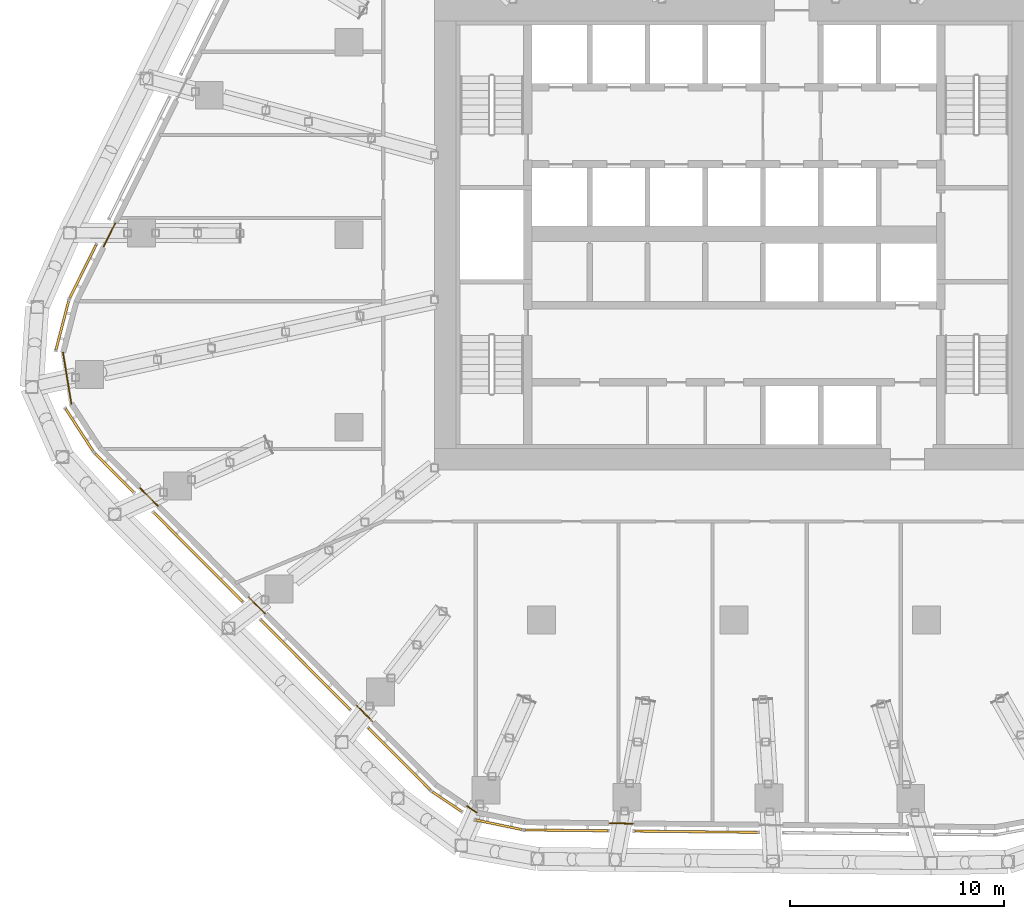
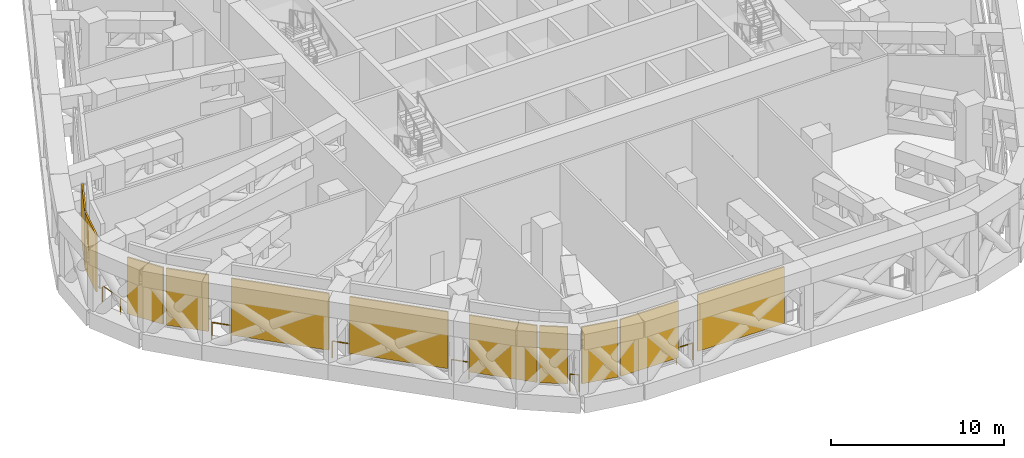
# One storey, part 25 of 30: 11 coverings, 7 railings, 5 elements without a shape of their own.
"""IFC4 building model written with IfcOpenShell, lengths in metres."""

import ifcopenshell
import ifcopenshell.guid

model = None  # the IFC model being written
_history = None  # IfcOwnerHistory: only IFC2X3 demands one
_inside = {}  # id of a spatial element -> (the spatial element, [elements in it])
_under = {}  # id of a project, library or spatial element -> (it, [spatial elements below it])
_declared = {}  # id of a project -> (the project, [libraries it declares])
_typed = {}  # id of a type object -> (the type object, [elements of that type])
_made_of = {}  # id of a material, layer set ... -> (it, [elements and type objects made of it])


def new_model(schema):
    """Start an empty IFC model of exactly this schema.

    Asked for "IFC4X3", IfcOpenShell would pick the latest addendum, in which some entities
    have other attributes; the version numbers below select the first issue.
    IFC2X3 requires an IfcOwnerHistory on every rooted entity: one is made here for all.
    """
    global model, _history
    if schema == "IFC4X3":
        model = ifcopenshell.file(schema_version=(4, 3, 0, 0))
    else:
        model = ifcopenshell.file(schema=schema)
    _inside.clear()
    _under.clear()
    _declared.clear()
    _typed.clear()
    _made_of.clear()
    _history = None
    if model.schema == "IFC2X3":
        org = make("IfcOrganization", Name="unknown")
        user = make(
            "IfcPersonAndOrganization",
            ThePerson=make("IfcPerson", FamilyName="unknown"),
            TheOrganization=org,
        )
        app = make(
            "IfcApplication",
            ApplicationDeveloper=org,
            Version="unknown",
            ApplicationFullName="unknown",
            ApplicationIdentifier="unknown",
        )
        _history = make(
            "IfcOwnerHistory",
            OwningUser=user,
            OwningApplication=app,
            ChangeAction="ADDED",
            CreationDate=0,
        )
    return model


def make(cls, **values):
    """One entity of the class cls with the attributes given. An attribute that is None is left unset."""
    return model.create_entity(
        cls, **{name: value for name, value in values.items() if value is not None}
    )


def rooted(cls, **values):
    """An entity with a GlobalId (a new one), such as an element, a storey or a relation."""
    return make(cls, GlobalId=ifcopenshell.guid.new(), OwnerHistory=_history, **values)


def si_unit(unit_type, name, prefix=None):
    """IfcSIUnit, for example si_unit("LENGTHUNIT", "METRE", prefix="MILLI")."""
    return make("IfcSIUnit", UnitType=unit_type, Prefix=prefix, Name=name)


def assignment(units):
    """IfcUnitAssignment: the units of a project."""
    return None if units is None else make("IfcUnitAssignment", Units=units)


def point(xyz):
    """IfcCartesianPoint."""
    return None if xyz is None else make("IfcCartesianPoint", Coordinates=xyz)


def direction(xyz):
    """IfcDirection."""
    return None if xyz is None else make("IfcDirection", DirectionRatios=xyz)


def frame(location, z_axis=None, x_axis=None):
    """IfcAxis2Placement3D, a coordinate frame: its origin and axes. An axis left out is left unset."""
    return make(
        "IfcAxis2Placement3D",
        Location=point(location),
        Axis=direction(z_axis),
        RefDirection=direction(x_axis),
    )


def frame_2d(location, x_axis=None):
    """IfcAxis2Placement2D, a coordinate frame in the plane: its origin and x axis."""
    return make(
        "IfcAxis2Placement2D", Location=point(location), RefDirection=direction(x_axis)
    )


def origin():
    """The frame at (0, 0, 0) with its axes left unset."""
    return frame((0.0, 0.0, 0.0))


def origin_2d():
    """The frame at (0, 0) in the plane with its x axis left unset."""
    return frame_2d((0.0, 0.0))


def place(relative_to, where):
    """IfcLocalPlacement: puts the frame where relative to a parent placement (None: the world)."""
    return make(
        "IfcLocalPlacement", PlacementRelTo=relative_to, RelativePlacement=where
    )


def context(
    kind, dimensions, precision=None, world=None, true_north=None, identifier=None
):
    """IfcGeometricRepresentationContext, for example the 3D "Model" context."""
    return make(
        "IfcGeometricRepresentationContext",
        ContextIdentifier=identifier,
        ContextType=kind,
        CoordinateSpaceDimension=dimensions,
        Precision=precision,
        WorldCoordinateSystem=world,
        TrueNorth=true_north,
    )


def subcontext(parent, identifier, kind, view, scale=None):
    """IfcGeometricRepresentationSubContext, for example "Body" below "Model"."""
    return make(
        "IfcGeometricRepresentationSubContext",
        ContextIdentifier=identifier,
        ContextType=kind,
        ParentContext=parent,
        TargetScale=scale,
        TargetView=view,
    )


def project(units=None, contexts=None):
    """IfcProject with its units and contexts."""
    return rooted(
        "IfcProject",
        Name="project",
        RepresentationContexts=contexts,
        UnitsInContext=assignment(units),
    )


def spatial(cls, under=None, at=None, **own):
    """A site, building, storey or space (cls), placed at a placement, below another one or the project."""
    s = rooted(cls, ObjectPlacement=at, **own)
    if under is not None:
        _under.setdefault(under.id(), (under, []))[1].append(s)
    return s


def profile(cls, at=None, kind="AREA", **sizes):
    """A parametric profile (cls). Its sizes go by their IFC names, for example OverallWidth=200.0."""
    return make(cls, ProfileType=kind, Position=at, **sizes)


def rectangle(**sizes):
    """IfcRectangleProfileDef."""
    return profile("IfcRectangleProfileDef", **sizes)


def circle(**sizes):
    """IfcCircleProfileDef."""
    return profile("IfcCircleProfileDef", **sizes)


def extrude(swept, where, along, depth):
    """IfcExtrudedAreaSolid: the profile swept, set in the frame where, extruded along a direction by depth."""
    return make(
        "IfcExtrudedAreaSolid",
        SweptArea=swept,
        Position=where,
        ExtrudedDirection=direction(along),
        Depth=depth,
    )


def shape(context_of_items, identifier, shape_type, items):
    """IfcShapeRepresentation: the items that make up one representation, for example the "Body"."""
    return make(
        "IfcShapeRepresentation",
        ContextOfItems=context_of_items,
        RepresentationIdentifier=identifier,
        RepresentationType=shape_type,
        Items=items,
    )


def material(Name=None, Category=None):
    """IfcMaterial."""
    return make("IfcMaterial", Name=Name, Category=Category)


def layer(
    of_material, thickness, ventilated=None, Name=None, Category=None, Priority=None
):
    """IfcMaterialLayer: one layer of a wall or slab, of a material (None: an air gap)."""
    return make(
        "IfcMaterialLayer",
        Material=of_material,
        LayerThickness=thickness,
        IsVentilated=ventilated,
        Name=Name,
        Category=Category,
        Priority=Priority,
    )


def layer_set(layers, Name=None):
    """IfcMaterialLayerSet."""
    return make("IfcMaterialLayerSet", MaterialLayers=layers, LayerSetName=Name)


def made_of(thing, what):
    """Note that an element or type object is made of a material, layer set ...; save() writes the relation."""
    if what is not None:
        _made_of.setdefault(what.id(), (what, []))[1].append(thing)
    return thing


def type_object(cls, material=None, **own):
    """A type object (cls), such as IfcWallType, which elements share."""
    return made_of(rooted(cls, **own), material)


def element(
    cls,
    number,
    at=None,
    inside=None,
    cuts=None,
    type_object=None,
    material=None,
    context=None,
    identifier="Body",
    shape_type=None,
    held_by="IfcProductDefinitionShape",
    body=None,
    shapes=None,
    **own,
):
    """One element of the class cls, such as IfcWall. Its Tag is "e" and its number.

    at: its placement. inside: the storey or other place that contains it. cuts: it is an
    opening in that element (IfcRelVoidsElement). A single representation is given by context,
    identifier, shape_type and body (its items); several are given by shapes. held_by: the class
    of the entity that holds the representations. save() writes the other relations.
    """
    e = rooted(cls, Tag="e%d" % number, ObjectPlacement=at, **own)
    if body is not None:
        shapes = [shape(context, identifier, shape_type, body)]
    if shapes is not None:
        e.Representation = make(held_by, Representations=shapes)
    if inside is not None:
        _inside.setdefault(inside.id(), (inside, []))[1].append(e)
    if cuts is not None:
        rooted(
            "IfcRelVoidsElement", RelatingBuildingElement=cuts, RelatedOpeningElement=e
        )
    if type_object is not None:
        _typed.setdefault(type_object.id(), (type_object, []))[1].append(e)
    return made_of(e, material)


def aggregate(whole, parts):
    """IfcRelAggregates: a whole, such as a stair, and the parts it consists of."""
    return rooted("IfcRelAggregates", RelatingObject=whole, RelatedObjects=parts)


def save(model, path):
    """Write the relations noted so far, then the file.

    IfcRelAggregates (storeys below a building ...), IfcRelContainedInSpatialStructure (elements
    in a storey), IfcRelDefinesByType, IfcRelAssociatesMaterial and IfcRelDeclares: one each for
    every whole, place, type object, material and project.
    """
    for whole, parts in _under.values():
        aggregate(whole, parts)
    for where, things in _inside.values():
        rooted(
            "IfcRelContainedInSpatialStructure",
            RelatedElements=things,
            RelatingStructure=where,
        )
    for kind, things in _typed.values():
        rooted("IfcRelDefinesByType", RelatedObjects=things, RelatingType=kind)
    for what, things in _made_of.values():
        rooted("IfcRelAssociatesMaterial", RelatedObjects=things, RelatingMaterial=what)
    for by, libraries in _declared.values():
        rooted("IfcRelDeclares", RelatingContext=by, RelatedDefinitions=libraries)
    model.write(path)


model = new_model("IFC4")

# Units and contexts
model_context = context("Model", 3, precision=1e-05, world=origin(), true_north=direction((0.0, 1.0)))
body_context = subcontext(model_context, "Body", "Model", "MODEL_VIEW")
ifc_project = project(units=[si_unit("LENGTHUNIT", "METRE"), si_unit("AREAUNIT", "SQUARE_METRE"), si_unit("VOLUMEUNIT", "CUBIC_METRE"), si_unit("PLANEANGLEUNIT", "RADIAN"), si_unit("MASSUNIT", "GRAM", prefix="KILO")], contexts=[model_context])

# Site, building, storey
site_placement = place(None, origin())
site = spatial("IfcSite", under=ifc_project, at=site_placement, CompositionType="ELEMENT")
building_placement = place(site_placement, origin())
building = spatial("IfcBuilding", under=site, at=building_placement, Name="Dongbaek Canopy Tower", CompositionType="ELEMENT")
storey_placement = place(building_placement, frame((0.0, 0.0, 145.60009765625)))
storey = spatial("IfcBuildingStorey", under=building, at=storey_placement, Name="L32", CompositionType="ELEMENT", Elevation=145.60009765625)

# Curtain wall, covering
ifc_material_1 = material(Name="Aluminium 6063-T6 pale anodised", Category="aluminium")
ifc_layer_1 = layer(ifc_material_1, 0.14990234375)
ifc_layer_set_1 = layer_set([ifc_layer_1], Name="CW-7 louvre curtain wall")
curtain_wall_type = type_object("IfcCurtainWallType", Name="CW-7 louvre curtain wall", PredefinedType="NOTDEFINED", material=ifc_layer_set_1)
curtain_wall_1_placement = place(storey_placement, origin())
curtain_wall_1 = element("IfcCurtainWall", 1, at=curtain_wall_1_placement, inside=storey, type_object=curtain_wall_type, Name="CW-7 louvre wall L32 F2", PredefinedType="NOTDEFINED")
ifc_material_2 = material(Name="Aluminium 6063-T6 pale metal louvre blades", Category="aluminium")
ifc_layer_2 = layer(ifc_material_2, 0.10009765625)
ifc_layer_set_2 = layer_set([ifc_layer_2], Name="Louvre LV bank 100 x 4000")
covering_type = type_object("IfcCoveringType", Name="Louvre LV bank 100 x 4000", PredefinedType="CLADDING", material=ifc_layer_set_2)
covering_1_placement = place(storey_placement, frame((-30.43310546875, -1.712890625, 0.77490234375), z_axis=(0.0, 0.0, 1.0), x_axis=(-0.444929333502, -0.895565680556, 0.0)))
covering_1 = element("IfcCovering", 2, at=covering_1_placement, type_object=covering_type, Name="Louvre L32 F2.5.1", PredefinedType="CLADDING", context=body_context, shape_type="SweptSolid", body=[
    extrude(rectangle(XDim=2.75927734375, YDim=0.10009765625, at=origin_2d()), origin(), (0.0, 0.0, 1.0), 4.0),
])
aggregate(curtain_wall_1, [covering_1])

# Curtain wall, coverings
curtain_wall_2_placement = place(storey_placement, origin())
curtain_wall_2 = element("IfcCurtainWall", 3, at=curtain_wall_2_placement, inside=storey, type_object=curtain_wall_type, Name="CW-7 louvre wall L32 K3", PredefinedType="NOTDEFINED")
covering_2_placement = place(storey_placement, frame((-31.3984375, -4.237548828125, 0.77490234375), z_axis=(0.0, 0.0, 1.0), x_axis=(-0.250958405827, -0.967997871147, 0.0)))
covering_2 = element("IfcCovering", 4, at=covering_2_placement, type_object=covering_type, Name="Louvre L32 K3.1.1", PredefinedType="CLADDING", context=body_context, shape_type="SweptSolid", body=[
    extrude(rectangle(XDim=2.349853515625, YDim=0.10009765625, at=origin_2d()), origin(), (0.0, 0.0, 1.0), 4.0),
])
covering_3_placement = place(storey_placement, frame((-30.60498046875, -9.11767578125, 0.77490234375), z_axis=(0.0, 0.0, 1.0), x_axis=(0.544699132785, -0.838631536936, 0.0)))
covering_3 = element("IfcCovering", 5, at=covering_3_placement, type_object=covering_type, Name="Louvre L32 K3.2.1", PredefinedType="CLADDING", context=body_context, shape_type="SweptSolid", body=[
    extrude(rectangle(XDim=2.349853515625, YDim=0.10009765625, at=origin_2d()), origin(), (0.0, 0.0, 1.0), 4.0),
])
aggregate(curtain_wall_2, [covering_2, covering_3])

curtain_wall_3_placement = place(storey_placement, origin())
curtain_wall_3 = element("IfcCurtainWall", 6, at=curtain_wall_3_placement, inside=storey, type_object=curtain_wall_type, Name="CW-7 louvre wall L32 F3", PredefinedType="NOTDEFINED")
covering_4_placement = place(storey_placement, frame((-28.96728515625, -11.12841796875, 0.77490234375), z_axis=(0.0, 0.0, 1.0), x_axis=(0.705731739235, -0.708479154412, 0.0)))
covering_4 = element("IfcCovering", 7, at=covering_4_placement, type_object=covering_type, Name="Louvre L32 F3.1.1", PredefinedType="CLADDING", context=body_context, shape_type="SweptSolid", body=[
    extrude(rectangle(XDim=2.539306640625, YDim=0.10009765625, at=origin_2d()), origin(), (0.0, 0.0, 1.0), 4.0),
])
covering_5_placement = place(storey_placement, frame((-25.05322265625, -15.057861328125, 0.77490234375), z_axis=(0.0, 0.0, 1.0), x_axis=(0.705731739235, -0.708479154412, 0.0)))
covering_5 = element("IfcCovering", 8, at=covering_5_placement, type_object=covering_type, Name="Louvre L32 F3.2.1", PredefinedType="CLADDING", context=body_context, shape_type="SweptSolid", body=[
    extrude(rectangle(XDim=5.853515625, YDim=0.10009765625, at=origin_2d()), origin(), (0.0, 0.0, 1.0), 4.0),
])
covering_6_placement = place(storey_placement, frame((-20.034423828125, -20.09619140625, 0.77490234375), z_axis=(0.0, 0.0, 1.0), x_axis=(0.705731739235, -0.708479154412, 0.0)))
covering_6 = element("IfcCovering", 9, at=covering_6_placement, type_object=covering_type, Name="Louvre L32 F3.3.1", PredefinedType="CLADDING", context=body_context, shape_type="SweptSolid", body=[
    extrude(rectangle(XDim=5.884765625, YDim=0.10009765625, at=origin_2d()), origin(), (0.0, 0.0, 1.0), 4.0),
])
covering_7_placement = place(storey_placement, frame((-15.6455078125, -24.501953125, 0.77490234375), z_axis=(0.0, 0.0, 1.0), x_axis=(0.705731739235, -0.708479154412, 0.0)))
covering_7 = element("IfcCovering", 10, at=covering_7_placement, type_object=covering_type, Name="Louvre L32 F3.4.1", PredefinedType="CLADDING", context=body_context, shape_type="SweptSolid", body=[
    extrude(rectangle(XDim=4.06298828125, YDim=0.10009765625, at=origin_2d()), origin(), (0.0, 0.0, 1.0), 4.0),
])
aggregate(curtain_wall_3, [covering_4, covering_5, covering_6, covering_7])

curtain_wall_4_placement = place(storey_placement, origin())
curtain_wall_4 = element("IfcCurtainWall", 11, at=curtain_wall_4_placement, inside=storey, type_object=curtain_wall_type, Name="CW-7 louvre wall L32 K4", PredefinedType="NOTDEFINED")
covering_8_placement = place(storey_placement, frame((-13.41796875, -26.494873046875, 0.77490234375), z_axis=(0.0, 0.0, 1.0), x_axis=(0.82920864921, -0.558939188172, 0.0)))
covering_8 = element("IfcCovering", 12, at=covering_8_placement, type_object=covering_type, Name="Louvre L32 K4.1.1", PredefinedType="CLADDING", context=body_context, shape_type="SweptSolid", body=[
    extrude(rectangle(XDim=1.6220703125, YDim=0.10009765625, at=origin_2d()), origin(), (0.0, 0.0, 1.0), 4.0),
])
covering_9_placement = place(storey_placement, frame((-10.987548828125, -27.579345703125, 0.77490234375), z_axis=(0.0, 0.0, 1.0), x_axis=(0.97913500533, -0.203210829776, 0.0)))
covering_9 = element("IfcCovering", 13, at=covering_9_placement, type_object=covering_type, Name="Louvre L32 K4.2.1", PredefinedType="CLADDING", context=body_context, shape_type="SweptSolid", body=[
    extrude(rectangle(XDim=2.19677734375, YDim=0.10009765625, at=origin_2d()), origin(), (0.0, 0.0, 1.0), 4.0),
])
aggregate(curtain_wall_4, [covering_8, covering_9])

curtain_wall_5_placement = place(storey_placement, origin())
curtain_wall_5 = element("IfcCurtainWall", 14, at=curtain_wall_5_placement, inside=storey, type_object=curtain_wall_type, Name="CW-7 louvre wall L32 F4", PredefinedType="NOTDEFINED")
covering_10_placement = place(storey_placement, frame((-7.83203125, -27.839599609375, 0.77490234375), z_axis=(0.0, 0.0, 1.0), x_axis=(0.999945908801, -0.010400936107, 0.0)))
covering_10 = element("IfcCovering", 15, at=covering_10_placement, type_object=covering_type, Name="Louvre L32 F4.1.1", PredefinedType="CLADDING", context=body_context, shape_type="SweptSolid", body=[
    extrude(rectangle(XDim=3.847412109375, YDim=0.10009765625, at=origin_2d()), origin(), (0.0, 0.0, 1.0), 4.0),
])
covering_11_placement = place(storey_placement, frame((-1.7666015625, -27.902587890625, 0.77490234375), z_axis=(0.0, 0.0, 1.0), x_axis=(0.999945908801, -0.010400936107, 0.0)))
covering_11 = element("IfcCovering", 16, at=covering_11_placement, type_object=covering_type, Name="Louvre L32 F4.2.1", PredefinedType="CLADDING", context=body_context, shape_type="SweptSolid", body=[
    extrude(rectangle(XDim=5.75146484375, YDim=0.10009765625, at=origin_2d()), origin(), (0.0, 0.0, 1.0), 4.0),
])
aggregate(curtain_wall_5, [covering_10, covering_11])

# Railings
ifc_material_3 = material(Name="Stainless steel", Category="steel")
railing_type = type_object("IfcRailingType", Name="Plant opening guard 1200", PredefinedType="GUARDRAIL", material=ifc_material_3)
railing_1_placement = place(storey_placement, frame((-28.925537109375, 0.53515625, 0.0)))
element("IfcRailing", 17, at=railing_1_placement, inside=storey, type_object=railing_type, Name="Plant opening guard L32 F2 4", PredefinedType="GUARDRAIL", context=body_context, shape_type="SweptSolid", body=[
    extrude(circle(Radius=0.02392578125, at=origin_2d()), frame((0.0, 0.0, 1.17578125), z_axis=(-0.444870638742, -0.895594838521, 0.0), x_axis=(0.895594838521, -0.444870638742, 0.0)), (0.0, 0.0, 1.0), 1.20947265625),
    extrude(circle(Radius=0.02099609375, at=origin_2d()), origin(), (0.0, 0.0, 1.0), 1.15185546875),
    extrude(circle(Radius=0.02099609375, at=origin_2d()), frame((-0.26904296875, -0.54150390625, 0.0)), (0.0, 0.0, 1.0), 1.15185546875),
    extrude(circle(Radius=0.02099609375, at=origin_2d()), frame((-0.5380859375, -1.083251953125, 0.0)), (0.0, 0.0, 1.0), 1.15185546875),
])
railing_2_placement = place(storey_placement, frame((-31.365966796875, -5.50634765625, 0.0)))
element("IfcRailing", 18, at=railing_2_placement, inside=storey, type_object=railing_type, Name="Plant opening guard L32 K3 1", PredefinedType="GUARDRAIL", context=body_context, shape_type="SweptSolid", body=[
    extrude(circle(Radius=0.02392578125, at=origin_2d()), frame((0.0, 0.0, 1.17578125), z_axis=(0.160502553093, -0.987035425125, 0.0), x_axis=(0.987035425125, 0.160502553093, 0.0)), (0.0, 0.0, 1.0), 2.42919921875),
    extrude(circle(Radius=0.02099609375, at=origin_2d()), origin(), (0.0, 0.0, 1.0), 1.15185546875),
    extrude(circle(Radius=0.02099609375, at=origin_2d()), frame((0.1298828125, -0.79931640625, 0.0)), (0.0, 0.0, 1.0), 1.15185546875),
    extrude(circle(Radius=0.02099609375, at=origin_2d()), frame((0.260009765625, -1.598388671875, 0.0)), (0.0, 0.0, 1.0), 1.15185546875),
    extrude(circle(Radius=0.02099609375, at=origin_2d()), frame((0.389892578125, -2.397705078125, 0.0)), (0.0, 0.0, 1.0), 1.15185546875),
])
railing_3_placement = place(storey_placement, frame((-27.756103515625, -11.848388671875, 0.0)))
element("IfcRailing", 19, at=railing_3_placement, inside=storey, type_object=railing_type, Name="Plant opening guard L32 F3 1", PredefinedType="GUARDRAIL", context=body_context, shape_type="SweptSolid", body=[
    extrude(circle(Radius=0.02392578125, at=origin_2d()), frame((0.0, 0.0, 1.17578125), z_axis=(0.705736933586, -0.708473980166, 0.0), x_axis=(0.708473980166, 0.705736933586, 0.0)), (0.0, 0.0, 1.0), 1.15966796875),
    extrude(circle(Radius=0.02099609375, at=origin_2d()), origin(), (0.0, 0.0, 1.0), 1.15185546875),
    extrude(circle(Radius=0.02099609375, at=origin_2d()), frame((0.818359375, -0.821533203125, 0.0)), (0.0, 0.0, 1.0), 1.15185546875),
])
railing_4_placement = place(storey_placement, frame((-22.672607421875, -16.95166015625, 0.0)))
element("IfcRailing", 20, at=railing_4_placement, inside=storey, type_object=railing_type, Name="Plant opening guard L32 F3 2", PredefinedType="GUARDRAIL", context=body_context, shape_type="SweptSolid", body=[
    extrude(circle(Radius=0.02392578125, at=origin_2d()), frame((0.0, 0.0, 1.17578125), z_axis=(0.705713471383, -0.708497350954, 0.0), x_axis=(0.708497350954, 0.705713471383, 0.0)), (0.0, 0.0, 1.0), 1.052490234375),
    extrude(circle(Radius=0.02099609375, at=origin_2d()), origin(), (0.0, 0.0, 1.0), 1.15185546875),
    extrude(circle(Radius=0.02099609375, at=origin_2d()), frame((0.74267578125, -0.74560546875, 0.0)), (0.0, 0.0, 1.0), 1.15185546875),
])
railing_5_placement = place(storey_placement, frame((-17.642822265625, -22.0009765625, 0.0)))
element("IfcRailing", 21, at=railing_5_placement, inside=storey, type_object=railing_type, Name="Plant opening guard L32 F3 3", PredefinedType="GUARDRAIL", context=body_context, shape_type="SweptSolid", body=[
    extrude(circle(Radius=0.02392578125, at=origin_2d()), frame((0.0, 0.0, 1.17578125), z_axis=(0.705717122353, -0.70849371431, 0.0), x_axis=(0.70849371431, 0.705717122353, 0.0)), (0.0, 0.0, 1.0), 1.05517578125),
    extrude(circle(Radius=0.02099609375, at=origin_2d()), origin(), (0.0, 0.0, 1.0), 1.15185546875),
    extrude(circle(Radius=0.02099609375, at=origin_2d()), frame((0.74462890625, -0.74755859375, 0.0)), (0.0, 0.0, 1.0), 1.15185546875),
])
railing_6_placement = place(storey_placement, frame((-12.470947265625, -26.7109375, 0.0)))
element("IfcRailing", 22, at=railing_6_placement, inside=storey, type_object=railing_type, Name="Plant opening guard L32 K4 1", PredefinedType="GUARDRAIL", context=body_context, shape_type="SweptSolid", body=[
    extrude(circle(Radius=0.02392578125, at=origin_2d()), frame((0.0, 0.0, 1.17578125), z_axis=(0.829032003146, -0.559201160371, 0.0), x_axis=(0.559201160371, 0.829032003146, 0.0)), (0.0, 0.0, 1.0), 0.524658203125),
    extrude(circle(Radius=0.02099609375, at=origin_2d()), origin(), (0.0, 0.0, 1.0), 1.15185546875),
    extrude(circle(Radius=0.02099609375, at=origin_2d()), frame((0.43505859375, -0.29345703125, 0.0)), (0.0, 0.0, 1.0), 1.15185546875),
])
railing_7_placement = place(storey_placement, frame((-5.809814453125, -27.510498046875, 0.0)))
element("IfcRailing", 23, at=railing_7_placement, inside=storey, type_object=railing_type, Name="Plant opening guard L32 F4 1", PredefinedType="GUARDRAIL", context=body_context, shape_type="SweptSolid", body=[
    extrude(circle(Radius=0.02392578125, at=origin_2d()), frame((0.0, 0.0, 1.17578125), z_axis=(0.999945553869, -0.010435003511, 0.0), x_axis=(0.010435003511, 0.999945553869, 0.0)), (0.0, 0.0, 1.0), 1.076171875),
    extrude(circle(Radius=0.02099609375, at=origin_2d()), origin(), (0.0, 0.0, 1.0), 1.15185546875),
    extrude(circle(Radius=0.02099609375, at=origin_2d()), frame((1.076171875, -0.01123046875, 0.0)), (0.0, 0.0, 1.0), 1.15185546875),
])

save(model, "model.ifc")
